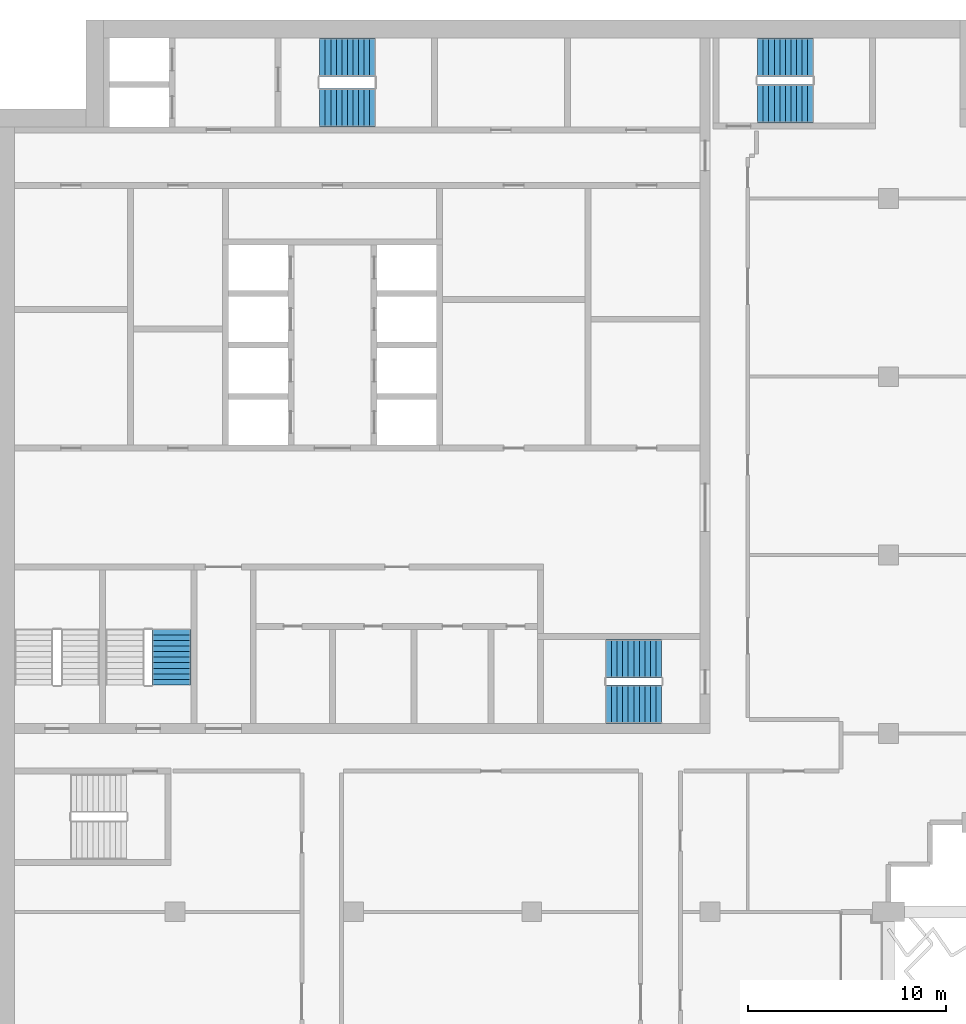
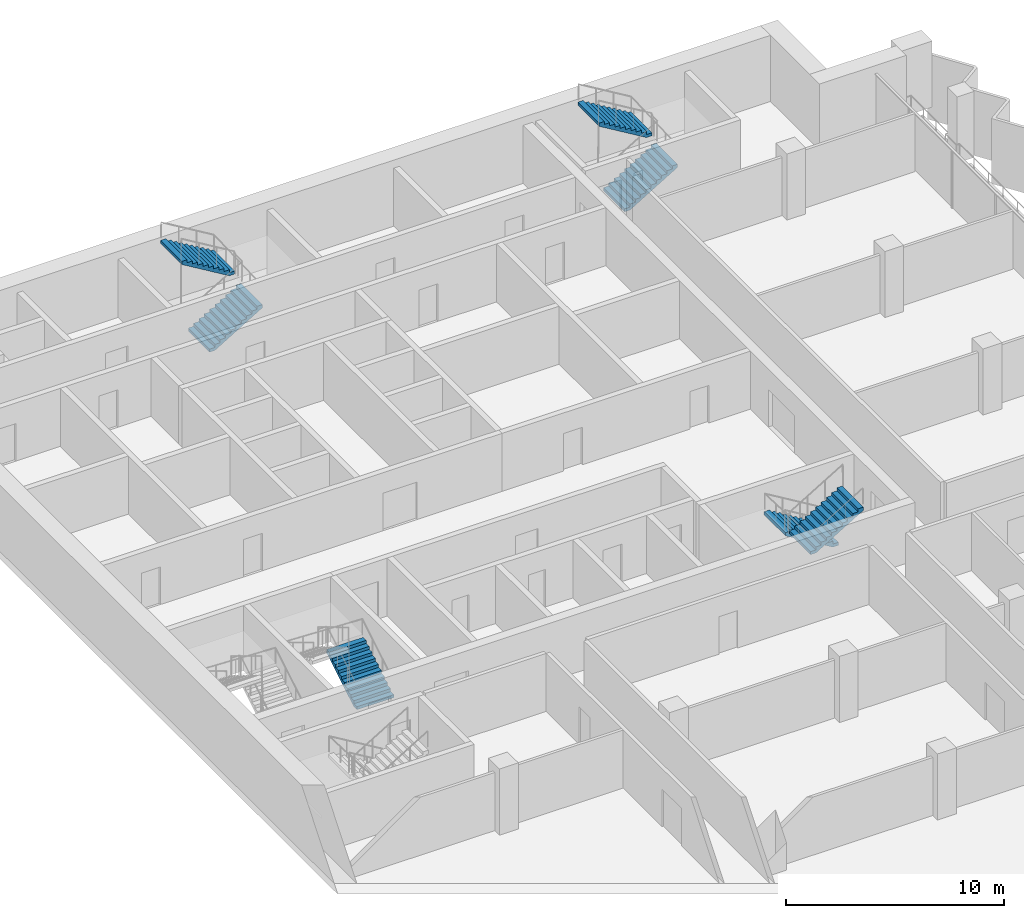
# One storey, part 13 of 17: 7 stair flights, 4 elements without a shape of their own.
"""IFC4 building model written with IfcOpenShell, lengths in metres."""

from ifc_helpers import new_model, si_unit, direction, frame, origin, place, context, subcontext, project, spatial, polyline, outline, extrude, material, type_object, element, aggregate, save


model = new_model("IFC4")

# Units and contexts
model_context = context("Model", 3, precision=1e-05, world=origin(), true_north=direction((0.0, 1.0)))
body_context = subcontext(model_context, "Body", "Model", "MODEL_VIEW")
ifc_project = project(units=[si_unit("LENGTHUNIT", "METRE"), si_unit("AREAUNIT", "SQUARE_METRE"), si_unit("VOLUMEUNIT", "CUBIC_METRE"), si_unit("PLANEANGLEUNIT", "RADIAN"), si_unit("MASSUNIT", "GRAM", prefix="KILO")], contexts=[model_context])

# Site, building, storey
site_placement = place(None, origin())
site = spatial("IfcSite", under=ifc_project, at=site_placement, CompositionType="ELEMENT")
building_placement = place(site_placement, origin())
building = spatial("IfcBuilding", under=site, at=building_placement, Name="Hunhe Ridgeline Campus", CompositionType="ELEMENT")
storey_placement = place(building_placement, frame((0.0, 0.0, 272.5)))
storey = spatial("IfcBuildingStorey", under=building, at=storey_placement, Name="L70", CompositionType="ELEMENT", Elevation=272.5)

# Stair, stair flights
ifc_material = material(Name="Concrete C40", Category="concrete")
stair_type = type_object("IfcStairType", Name="Reinforced concrete dog-leg stair 1950 Concrete C40", PredefinedType="HALF_TURN_STAIR", material=ifc_material)
stair_1_placement = place(storey_placement, origin())
stair_1 = element("IfcStair", 1, at=stair_1_placement, inside=storey, type_object=stair_type, Name="L70 S1", PredefinedType="HALF_TURN_STAIR")
stair_flight_type = type_object("IfcStairFlightType", Name="Reinforced concrete stair flight 1950 Concrete C40", PredefinedType="STRAIGHT", material=ifc_material)
stair_flight_1_placement = place(storey_placement, frame((16.300048828125, 94.574951171875, 0.0), z_axis=(0.0, 0.0, 1.0), x_axis=(1.0, 0.0, 0.0)))
stair_flight_1 = element("IfcStairFlight", 2, at=stair_flight_1_placement, type_object=stair_flight_type, Name="ST1 flight 1", NumberOfRisers=11, NumberOfTreads=10, PredefinedType="STRAIGHT", RiserHeight=0.168181818, TreadLength=0.28, context=body_context, shape_type="SweptSolid", body=[
    extrude(outline(polyline([(0.0, 0.0), (0.0, 0.168212890625), (0.280029296875, 0.168212890625), (0.280029296875, 0.33642578125), (0.56005859375, 0.33642578125), (0.56005859375, 0.504638671875), (0.840087890625, 0.504638671875), (0.840087890625, 0.672607421875), (1.1201171875, 0.672607421875), (1.1201171875, 0.8408203125), (1.39990234375, 0.8408203125), (1.39990234375, 1.009033203125), (1.679931640625, 1.009033203125), (1.679931640625, 1.17724609375), (1.9599609375, 1.17724609375), (1.9599609375, 1.345458984375), (2.239990234375, 1.345458984375), (2.239990234375, 1.513671875), (2.52001953125, 1.513671875), (2.52001953125, 1.681884765625), (2.800048828125, 1.681884765625), (2.800048828125, 1.85009765625), (2.800048828125, 1.5068359375), (0.291015625, 0.0), (0.0, 0.0)])), frame((0.0, 0.97509765625, 0.0), z_axis=(0.0, -1.0, 0.0), x_axis=(1.0, 0.0, 0.0)), (0.0, 0.0, 1.0), 1.949951171875),
    extrude(outline(polyline([(0.030029296875, 0.030029296875), (0.030029296875, 0.13818359375), (0.31005859375, 0.13818359375), (0.31005859375, 0.306396484375), (0.590087890625, 0.306396484375), (0.590087890625, 0.474609375), (0.8701171875, 0.474609375), (0.8701171875, 0.642578125), (1.14990234375, 0.642578125), (1.14990234375, 0.810791015625), (1.429931640625, 0.810791015625), (1.429931640625, 0.97900390625), (1.7099609375, 0.97900390625), (1.7099609375, 1.147216796875), (1.989990234375, 1.147216796875), (1.989990234375, 1.3154296875), (2.27001953125, 1.3154296875), (2.27001953125, 1.483642578125), (2.550048828125, 1.483642578125), (2.550048828125, 1.65185546875), (2.77001953125, 1.65185546875), (2.77001953125, 1.52392578125), (0.28271484375, 0.030029296875), (0.030029296875, 0.030029296875)])), frame((0.0, -0.070068359375, 0.0), z_axis=(0.0, -1.0, 0.0), x_axis=(1.0, 0.0, 0.0)), (0.0, 0.0, 1.0), 0.019775390625),
    extrude(outline(polyline([(0.030029296875, 0.030029296875), (0.030029296875, 0.13818359375), (0.31005859375, 0.13818359375), (0.31005859375, 0.306396484375), (0.590087890625, 0.306396484375), (0.590087890625, 0.474609375), (0.8701171875, 0.474609375), (0.8701171875, 0.642578125), (1.14990234375, 0.642578125), (1.14990234375, 0.810791015625), (1.429931640625, 0.810791015625), (1.429931640625, 0.97900390625), (1.7099609375, 0.97900390625), (1.7099609375, 1.147216796875), (1.989990234375, 1.147216796875), (1.989990234375, 1.3154296875), (2.27001953125, 1.3154296875), (2.27001953125, 1.483642578125), (2.550048828125, 1.483642578125), (2.550048828125, 1.65185546875), (2.77001953125, 1.65185546875), (2.77001953125, 1.52392578125), (0.28271484375, 0.030029296875), (0.030029296875, 0.030029296875)])), frame((0.0, 0.010009765625, 0.0), z_axis=(0.0, -1.0, 0.0), x_axis=(1.0, 0.0, 0.0)), (0.0, 0.0, 1.0), 0.019775390625),
    extrude(outline(polyline([(0.030029296875, 0.030029296875), (0.030029296875, 0.13818359375), (0.31005859375, 0.13818359375), (0.31005859375, 0.306396484375), (0.590087890625, 0.306396484375), (0.590087890625, 0.474609375), (0.8701171875, 0.474609375), (0.8701171875, 0.642578125), (1.14990234375, 0.642578125), (1.14990234375, 0.810791015625), (1.429931640625, 0.810791015625), (1.429931640625, 0.97900390625), (1.7099609375, 0.97900390625), (1.7099609375, 1.147216796875), (1.989990234375, 1.147216796875), (1.989990234375, 1.3154296875), (2.27001953125, 1.3154296875), (2.27001953125, 1.483642578125), (2.550048828125, 1.483642578125), (2.550048828125, 1.65185546875), (2.77001953125, 1.65185546875), (2.77001953125, 1.52392578125), (0.28271484375, 0.030029296875), (0.030029296875, 0.030029296875)])), frame((0.0, 0.090087890625, 0.0), z_axis=(0.0, -1.0, 0.0), x_axis=(1.0, 0.0, 0.0)), (0.0, 0.0, 1.0), 0.019775390625),
])
stair_flight_2_placement = place(storey_placement, frame((19.10009765625, 97.125, 1.85009765625), z_axis=(0.0, 0.0, 1.0), x_axis=(-1.0, 0.0, 0.0)))
stair_flight_2 = element("IfcStairFlight", 3, at=stair_flight_2_placement, type_object=stair_flight_type, Name="ST1 flight 2", NumberOfRisers=11, NumberOfTreads=10, PredefinedType="STRAIGHT", RiserHeight=0.168181818, TreadLength=0.28, context=body_context, shape_type="SweptSolid", body=[
    extrude(outline(polyline([(0.0, 0.0), (0.0, 0.168212890625), (0.280029296875, 0.168212890625), (0.280029296875, 0.33642578125), (0.56005859375, 0.33642578125), (0.56005859375, 0.504638671875), (0.840087890625, 0.504638671875), (0.840087890625, 0.672607421875), (1.1201171875, 0.672607421875), (1.1201171875, 0.8408203125), (1.39990234375, 0.8408203125), (1.39990234375, 1.009033203125), (1.679931640625, 1.009033203125), (1.679931640625, 1.17724609375), (1.9599609375, 1.17724609375), (1.9599609375, 1.345458984375), (2.239990234375, 1.345458984375), (2.239990234375, 1.513671875), (2.52001953125, 1.513671875), (2.52001953125, 1.681884765625), (2.800048828125, 1.681884765625), (2.800048828125, 1.85009765625), (2.800048828125, 1.5068359375), (0.291015625, 0.0), (0.0, 0.0)])), frame((0.0, 0.97509765625, 0.0), z_axis=(0.0, -1.0, 0.0), x_axis=(1.0, 0.0, 0.0)), (0.0, 0.0, 1.0), 1.949951171875),
    extrude(outline(polyline([(0.030029296875, 0.030029296875), (0.030029296875, 0.13818359375), (0.31005859375, 0.13818359375), (0.31005859375, 0.306396484375), (0.590087890625, 0.306396484375), (0.590087890625, 0.474609375), (0.8701171875, 0.474609375), (0.8701171875, 0.642578125), (1.14990234375, 0.642578125), (1.14990234375, 0.810791015625), (1.429931640625, 0.810791015625), (1.429931640625, 0.97900390625), (1.7099609375, 0.97900390625), (1.7099609375, 1.147216796875), (1.989990234375, 1.147216796875), (1.989990234375, 1.3154296875), (2.27001953125, 1.3154296875), (2.27001953125, 1.483642578125), (2.550048828125, 1.483642578125), (2.550048828125, 1.65185546875), (2.77001953125, 1.65185546875), (2.77001953125, 1.52392578125), (0.28271484375, 0.030029296875), (0.030029296875, 0.030029296875)])), frame((0.0, -0.070068359375, 0.0), z_axis=(0.0, -1.0, 0.0), x_axis=(1.0, 0.0, 0.0)), (0.0, 0.0, 1.0), 0.019775390625),
    extrude(outline(polyline([(0.030029296875, 0.030029296875), (0.030029296875, 0.13818359375), (0.31005859375, 0.13818359375), (0.31005859375, 0.306396484375), (0.590087890625, 0.306396484375), (0.590087890625, 0.474609375), (0.8701171875, 0.474609375), (0.8701171875, 0.642578125), (1.14990234375, 0.642578125), (1.14990234375, 0.810791015625), (1.429931640625, 0.810791015625), (1.429931640625, 0.97900390625), (1.7099609375, 0.97900390625), (1.7099609375, 1.147216796875), (1.989990234375, 1.147216796875), (1.989990234375, 1.3154296875), (2.27001953125, 1.3154296875), (2.27001953125, 1.483642578125), (2.550048828125, 1.483642578125), (2.550048828125, 1.65185546875), (2.77001953125, 1.65185546875), (2.77001953125, 1.52392578125), (0.28271484375, 0.030029296875), (0.030029296875, 0.030029296875)])), frame((0.0, 0.010009765625, 0.0), z_axis=(0.0, -1.0, 0.0), x_axis=(1.0, 0.0, 0.0)), (0.0, 0.0, 1.0), 0.019775390625),
    extrude(outline(polyline([(0.030029296875, 0.030029296875), (0.030029296875, 0.13818359375), (0.31005859375, 0.13818359375), (0.31005859375, 0.306396484375), (0.590087890625, 0.306396484375), (0.590087890625, 0.474609375), (0.8701171875, 0.474609375), (0.8701171875, 0.642578125), (1.14990234375, 0.642578125), (1.14990234375, 0.810791015625), (1.429931640625, 0.810791015625), (1.429931640625, 0.97900390625), (1.7099609375, 0.97900390625), (1.7099609375, 1.147216796875), (1.989990234375, 1.147216796875), (1.989990234375, 1.3154296875), (2.27001953125, 1.3154296875), (2.27001953125, 1.483642578125), (2.550048828125, 1.483642578125), (2.550048828125, 1.65185546875), (2.77001953125, 1.65185546875), (2.77001953125, 1.52392578125), (0.28271484375, 0.030029296875), (0.030029296875, 0.030029296875)])), frame((0.0, 0.090087890625, 0.0), z_axis=(0.0, -1.0, 0.0), x_axis=(1.0, 0.0, 0.0)), (0.0, 0.0, 1.0), 0.019775390625),
])
aggregate(stair_1, [stair_flight_1, stair_flight_2])

stair_2_placement = place(storey_placement, origin())
stair_2 = element("IfcStair", 4, at=stair_2_placement, inside=storey, type_object=stair_type, Name="L70 S2", PredefinedType="HALF_TURN_STAIR")
stair_flight_3_placement = place(storey_placement, frame((33.550048828125, 66.77490234375, 0.0), z_axis=(0.0, 0.0, 1.0), x_axis=(-1.0, 0.0, 0.0)))
stair_flight_3 = element("IfcStairFlight", 5, at=stair_flight_3_placement, type_object=stair_flight_type, Name="ST2 flight 1", NumberOfRisers=11, NumberOfTreads=10, PredefinedType="STRAIGHT", RiserHeight=0.168181818, TreadLength=0.28, context=body_context, shape_type="SweptSolid", body=[
    extrude(outline(polyline([(0.0, 0.0), (0.0, 0.168212890625), (0.280029296875, 0.168212890625), (0.280029296875, 0.33642578125), (0.56005859375, 0.33642578125), (0.56005859375, 0.504638671875), (0.840087890625, 0.504638671875), (0.840087890625, 0.672607421875), (1.1201171875, 0.672607421875), (1.1201171875, 0.8408203125), (1.39990234375, 0.8408203125), (1.39990234375, 1.009033203125), (1.679931640625, 1.009033203125), (1.679931640625, 1.17724609375), (1.9599609375, 1.17724609375), (1.9599609375, 1.345458984375), (2.239990234375, 1.345458984375), (2.239990234375, 1.513671875), (2.52001953125, 1.513671875), (2.52001953125, 1.681884765625), (2.800048828125, 1.681884765625), (2.800048828125, 1.85009765625), (2.800048828125, 1.5068359375), (0.291015625, 0.0), (0.0, 0.0)])), frame((0.0, 0.97509765625, 0.0), z_axis=(0.0, -1.0, 0.0), x_axis=(1.0, 0.0, 0.0)), (0.0, 0.0, 1.0), 1.949951171875),
    extrude(outline(polyline([(0.030029296875, 0.030029296875), (0.030029296875, 0.13818359375), (0.31005859375, 0.13818359375), (0.31005859375, 0.306396484375), (0.590087890625, 0.306396484375), (0.590087890625, 0.474609375), (0.8701171875, 0.474609375), (0.8701171875, 0.642578125), (1.14990234375, 0.642578125), (1.14990234375, 0.810791015625), (1.429931640625, 0.810791015625), (1.429931640625, 0.97900390625), (1.7099609375, 0.97900390625), (1.7099609375, 1.147216796875), (1.989990234375, 1.147216796875), (1.989990234375, 1.3154296875), (2.27001953125, 1.3154296875), (2.27001953125, 1.483642578125), (2.550048828125, 1.483642578125), (2.550048828125, 1.65185546875), (2.77001953125, 1.65185546875), (2.77001953125, 1.52392578125), (0.28271484375, 0.030029296875), (0.030029296875, 0.030029296875)])), frame((0.0, -0.070068359375, 0.0), z_axis=(0.0, -1.0, 0.0), x_axis=(1.0, 0.0, 0.0)), (0.0, 0.0, 1.0), 0.019775390625),
    extrude(outline(polyline([(0.030029296875, 0.030029296875), (0.030029296875, 0.13818359375), (0.31005859375, 0.13818359375), (0.31005859375, 0.306396484375), (0.590087890625, 0.306396484375), (0.590087890625, 0.474609375), (0.8701171875, 0.474609375), (0.8701171875, 0.642578125), (1.14990234375, 0.642578125), (1.14990234375, 0.810791015625), (1.429931640625, 0.810791015625), (1.429931640625, 0.97900390625), (1.7099609375, 0.97900390625), (1.7099609375, 1.147216796875), (1.989990234375, 1.147216796875), (1.989990234375, 1.3154296875), (2.27001953125, 1.3154296875), (2.27001953125, 1.483642578125), (2.550048828125, 1.483642578125), (2.550048828125, 1.65185546875), (2.77001953125, 1.65185546875), (2.77001953125, 1.52392578125), (0.28271484375, 0.030029296875), (0.030029296875, 0.030029296875)])), frame((0.0, 0.010009765625, 0.0), z_axis=(0.0, -1.0, 0.0), x_axis=(1.0, 0.0, 0.0)), (0.0, 0.0, 1.0), 0.019775390625),
    extrude(outline(polyline([(0.030029296875, 0.030029296875), (0.030029296875, 0.13818359375), (0.31005859375, 0.13818359375), (0.31005859375, 0.306396484375), (0.590087890625, 0.306396484375), (0.590087890625, 0.474609375), (0.8701171875, 0.474609375), (0.8701171875, 0.642578125), (1.14990234375, 0.642578125), (1.14990234375, 0.810791015625), (1.429931640625, 0.810791015625), (1.429931640625, 0.97900390625), (1.7099609375, 0.97900390625), (1.7099609375, 1.147216796875), (1.989990234375, 1.147216796875), (1.989990234375, 1.3154296875), (2.27001953125, 1.3154296875), (2.27001953125, 1.483642578125), (2.550048828125, 1.483642578125), (2.550048828125, 1.65185546875), (2.77001953125, 1.65185546875), (2.77001953125, 1.52392578125), (0.28271484375, 0.030029296875), (0.030029296875, 0.030029296875)])), frame((0.0, 0.090087890625, 0.0), z_axis=(0.0, -1.0, 0.0), x_axis=(1.0, 0.0, 0.0)), (0.0, 0.0, 1.0), 0.019775390625),
])
stair_flight_4_placement = place(storey_placement, frame((30.75, 64.47509765625, 1.85009765625), z_axis=(0.0, 0.0, 1.0), x_axis=(1.0, 0.0, 0.0)))
stair_flight_4 = element("IfcStairFlight", 6, at=stair_flight_4_placement, type_object=stair_flight_type, Name="ST2 flight 2", NumberOfRisers=11, NumberOfTreads=10, PredefinedType="STRAIGHT", RiserHeight=0.168181818, TreadLength=0.28, context=body_context, shape_type="SweptSolid", body=[
    extrude(outline(polyline([(0.0, 0.0), (0.0, 0.168212890625), (0.280029296875, 0.168212890625), (0.280029296875, 0.33642578125), (0.56005859375, 0.33642578125), (0.56005859375, 0.504638671875), (0.840087890625, 0.504638671875), (0.840087890625, 0.672607421875), (1.1201171875, 0.672607421875), (1.1201171875, 0.8408203125), (1.39990234375, 0.8408203125), (1.39990234375, 1.009033203125), (1.679931640625, 1.009033203125), (1.679931640625, 1.17724609375), (1.9599609375, 1.17724609375), (1.9599609375, 1.345458984375), (2.239990234375, 1.345458984375), (2.239990234375, 1.513671875), (2.52001953125, 1.513671875), (2.52001953125, 1.681884765625), (2.800048828125, 1.681884765625), (2.800048828125, 1.85009765625), (2.800048828125, 1.5068359375), (0.291015625, 0.0), (0.0, 0.0)])), frame((0.0, 0.97509765625, 0.0), z_axis=(0.0, -1.0, 0.0), x_axis=(1.0, 0.0, 0.0)), (0.0, 0.0, 1.0), 1.949951171875),
    extrude(outline(polyline([(0.030029296875, 0.030029296875), (0.030029296875, 0.13818359375), (0.31005859375, 0.13818359375), (0.31005859375, 0.306396484375), (0.590087890625, 0.306396484375), (0.590087890625, 0.474609375), (0.8701171875, 0.474609375), (0.8701171875, 0.642578125), (1.14990234375, 0.642578125), (1.14990234375, 0.810791015625), (1.429931640625, 0.810791015625), (1.429931640625, 0.97900390625), (1.7099609375, 0.97900390625), (1.7099609375, 1.147216796875), (1.989990234375, 1.147216796875), (1.989990234375, 1.3154296875), (2.27001953125, 1.3154296875), (2.27001953125, 1.483642578125), (2.550048828125, 1.483642578125), (2.550048828125, 1.65185546875), (2.77001953125, 1.65185546875), (2.77001953125, 1.52392578125), (0.28271484375, 0.030029296875), (0.030029296875, 0.030029296875)])), frame((0.0, -0.070068359375, 0.0), z_axis=(0.0, -1.0, 0.0), x_axis=(1.0, 0.0, 0.0)), (0.0, 0.0, 1.0), 0.019775390625),
    extrude(outline(polyline([(0.030029296875, 0.030029296875), (0.030029296875, 0.13818359375), (0.31005859375, 0.13818359375), (0.31005859375, 0.306396484375), (0.590087890625, 0.306396484375), (0.590087890625, 0.474609375), (0.8701171875, 0.474609375), (0.8701171875, 0.642578125), (1.14990234375, 0.642578125), (1.14990234375, 0.810791015625), (1.429931640625, 0.810791015625), (1.429931640625, 0.97900390625), (1.7099609375, 0.97900390625), (1.7099609375, 1.147216796875), (1.989990234375, 1.147216796875), (1.989990234375, 1.3154296875), (2.27001953125, 1.3154296875), (2.27001953125, 1.483642578125), (2.550048828125, 1.483642578125), (2.550048828125, 1.65185546875), (2.77001953125, 1.65185546875), (2.77001953125, 1.52392578125), (0.28271484375, 0.030029296875), (0.030029296875, 0.030029296875)])), frame((0.0, 0.010009765625, 0.0), z_axis=(0.0, -1.0, 0.0), x_axis=(1.0, 0.0, 0.0)), (0.0, 0.0, 1.0), 0.019775390625),
    extrude(outline(polyline([(0.030029296875, 0.030029296875), (0.030029296875, 0.13818359375), (0.31005859375, 0.13818359375), (0.31005859375, 0.306396484375), (0.590087890625, 0.306396484375), (0.590087890625, 0.474609375), (0.8701171875, 0.474609375), (0.8701171875, 0.642578125), (1.14990234375, 0.642578125), (1.14990234375, 0.810791015625), (1.429931640625, 0.810791015625), (1.429931640625, 0.97900390625), (1.7099609375, 0.97900390625), (1.7099609375, 1.147216796875), (1.989990234375, 1.147216796875), (1.989990234375, 1.3154296875), (2.27001953125, 1.3154296875), (2.27001953125, 1.483642578125), (2.550048828125, 1.483642578125), (2.550048828125, 1.65185546875), (2.77001953125, 1.65185546875), (2.77001953125, 1.52392578125), (0.28271484375, 0.030029296875), (0.030029296875, 0.030029296875)])), frame((0.0, 0.090087890625, 0.0), z_axis=(0.0, -1.0, 0.0), x_axis=(1.0, 0.0, 0.0)), (0.0, 0.0, 1.0), 0.019775390625),
])
aggregate(stair_2, [stair_flight_3, stair_flight_4])

# Stair, stair flight
stair_3_placement = place(storey_placement, origin())
stair_3 = element("IfcStair", 7, at=stair_3_placement, inside=storey, type_object=stair_type, Name="L70 S4", PredefinedType="HALF_TURN_STAIR")
stair_flight_5_placement = place(storey_placement, frame((8.824951171875, 65.449951171875, 0.0), z_axis=(0.0, 0.0, 1.0), x_axis=(0.0, 1.0, 0.0)))
stair_flight_5 = element("IfcStairFlight", 8, at=stair_flight_5_placement, type_object=stair_flight_type, Name="ST4 flight 1", NumberOfRisers=11, NumberOfTreads=10, PredefinedType="STRAIGHT", RiserHeight=0.168181818, TreadLength=0.28, context=body_context, shape_type="SweptSolid", body=[
    extrude(outline(polyline([(0.0, 0.0), (0.0, 0.168212890625), (0.280029296875, 0.168212890625), (0.280029296875, 0.33642578125), (0.56005859375, 0.33642578125), (0.56005859375, 0.504638671875), (0.840087890625, 0.504638671875), (0.840087890625, 0.672607421875), (1.1201171875, 0.672607421875), (1.1201171875, 0.8408203125), (1.39990234375, 0.8408203125), (1.39990234375, 1.009033203125), (1.679931640625, 1.009033203125), (1.679931640625, 1.17724609375), (1.9599609375, 1.17724609375), (1.9599609375, 1.345458984375), (2.239990234375, 1.345458984375), (2.239990234375, 1.513671875), (2.52001953125, 1.513671875), (2.52001953125, 1.681884765625), (2.800048828125, 1.681884765625), (2.800048828125, 1.85009765625), (2.800048828125, 1.5068359375), (0.291015625, 0.0), (0.0, 0.0)])), frame((0.0, 0.97509765625, 0.0), z_axis=(0.0, -1.0, 0.0), x_axis=(1.0, 0.0, 0.0)), (0.0, 0.0, 1.0), 1.949951171875),
    extrude(outline(polyline([(0.030029296875, 0.030029296875), (0.030029296875, 0.13818359375), (0.31005859375, 0.13818359375), (0.31005859375, 0.306396484375), (0.590087890625, 0.306396484375), (0.590087890625, 0.474609375), (0.8701171875, 0.474609375), (0.8701171875, 0.642578125), (1.14990234375, 0.642578125), (1.14990234375, 0.810791015625), (1.429931640625, 0.810791015625), (1.429931640625, 0.97900390625), (1.7099609375, 0.97900390625), (1.7099609375, 1.147216796875), (1.989990234375, 1.147216796875), (1.989990234375, 1.3154296875), (2.27001953125, 1.3154296875), (2.27001953125, 1.483642578125), (2.550048828125, 1.483642578125), (2.550048828125, 1.65185546875), (2.77001953125, 1.65185546875), (2.77001953125, 1.52392578125), (0.28271484375, 0.030029296875), (0.030029296875, 0.030029296875)])), frame((0.0, -0.070068359375, 0.0), z_axis=(0.0, -1.0, 0.0), x_axis=(1.0, 0.0, 0.0)), (0.0, 0.0, 1.0), 0.019775390625),
    extrude(outline(polyline([(0.030029296875, 0.030029296875), (0.030029296875, 0.13818359375), (0.31005859375, 0.13818359375), (0.31005859375, 0.306396484375), (0.590087890625, 0.306396484375), (0.590087890625, 0.474609375), (0.8701171875, 0.474609375), (0.8701171875, 0.642578125), (1.14990234375, 0.642578125), (1.14990234375, 0.810791015625), (1.429931640625, 0.810791015625), (1.429931640625, 0.97900390625), (1.7099609375, 0.97900390625), (1.7099609375, 1.147216796875), (1.989990234375, 1.147216796875), (1.989990234375, 1.3154296875), (2.27001953125, 1.3154296875), (2.27001953125, 1.483642578125), (2.550048828125, 1.483642578125), (2.550048828125, 1.65185546875), (2.77001953125, 1.65185546875), (2.77001953125, 1.52392578125), (0.28271484375, 0.030029296875), (0.030029296875, 0.030029296875)])), frame((0.0, 0.010009765625, 0.0), z_axis=(0.0, -1.0, 0.0), x_axis=(1.0, 0.0, 0.0)), (0.0, 0.0, 1.0), 0.019775390625),
    extrude(outline(polyline([(0.030029296875, 0.030029296875), (0.030029296875, 0.13818359375), (0.31005859375, 0.13818359375), (0.31005859375, 0.306396484375), (0.590087890625, 0.306396484375), (0.590087890625, 0.474609375), (0.8701171875, 0.474609375), (0.8701171875, 0.642578125), (1.14990234375, 0.642578125), (1.14990234375, 0.810791015625), (1.429931640625, 0.810791015625), (1.429931640625, 0.97900390625), (1.7099609375, 0.97900390625), (1.7099609375, 1.147216796875), (1.989990234375, 1.147216796875), (1.989990234375, 1.3154296875), (2.27001953125, 1.3154296875), (2.27001953125, 1.483642578125), (2.550048828125, 1.483642578125), (2.550048828125, 1.65185546875), (2.77001953125, 1.65185546875), (2.77001953125, 1.52392578125), (0.28271484375, 0.030029296875), (0.030029296875, 0.030029296875)])), frame((0.0, 0.090087890625, 0.0), z_axis=(0.0, -1.0, 0.0), x_axis=(1.0, 0.0, 0.0)), (0.0, 0.0, 1.0), 0.019775390625),
])
aggregate(stair_3, [stair_flight_5])

# Stair, stair flights
stair_4_placement = place(storey_placement, origin())
stair_4 = element("IfcStair", 9, at=stair_4_placement, inside=storey, type_object=stair_type, Name="L70 E1", PredefinedType="HALF_TURN_STAIR")
stair_flight_6_placement = place(storey_placement, frame((38.39990234375, 94.77490234375, 0.0), z_axis=(0.0, 0.0, 1.0), x_axis=(1.0, 0.0, 0.0)))
stair_flight_6 = element("IfcStairFlight", 10, at=stair_flight_6_placement, type_object=stair_flight_type, Name="ST5 flight 1", NumberOfRisers=11, NumberOfTreads=10, PredefinedType="STRAIGHT", RiserHeight=0.168181818, TreadLength=0.28, context=body_context, shape_type="SweptSolid", body=[
    extrude(outline(polyline([(0.0, 0.0), (0.0, 0.168212890625), (0.280029296875, 0.168212890625), (0.280029296875, 0.33642578125), (0.56005859375, 0.33642578125), (0.56005859375, 0.504638671875), (0.840087890625, 0.504638671875), (0.840087890625, 0.672607421875), (1.1201171875, 0.672607421875), (1.1201171875, 0.8408203125), (1.39990234375, 0.8408203125), (1.39990234375, 1.009033203125), (1.679931640625, 1.009033203125), (1.679931640625, 1.17724609375), (1.9599609375, 1.17724609375), (1.9599609375, 1.345458984375), (2.239990234375, 1.345458984375), (2.239990234375, 1.513671875), (2.52001953125, 1.513671875), (2.52001953125, 1.681884765625), (2.800048828125, 1.681884765625), (2.800048828125, 1.85009765625), (2.800048828125, 1.5068359375), (0.291015625, 0.0), (0.0, 0.0)])), frame((0.0, 0.97509765625, 0.0), z_axis=(0.0, -1.0, 0.0), x_axis=(1.0, 0.0, 0.0)), (0.0, 0.0, 1.0), 1.949951171875),
    extrude(outline(polyline([(0.030029296875, 0.030029296875), (0.030029296875, 0.13818359375), (0.31005859375, 0.13818359375), (0.31005859375, 0.306396484375), (0.590087890625, 0.306396484375), (0.590087890625, 0.474609375), (0.8701171875, 0.474609375), (0.8701171875, 0.642578125), (1.14990234375, 0.642578125), (1.14990234375, 0.810791015625), (1.429931640625, 0.810791015625), (1.429931640625, 0.97900390625), (1.7099609375, 0.97900390625), (1.7099609375, 1.147216796875), (1.989990234375, 1.147216796875), (1.989990234375, 1.3154296875), (2.27001953125, 1.3154296875), (2.27001953125, 1.483642578125), (2.550048828125, 1.483642578125), (2.550048828125, 1.65185546875), (2.77001953125, 1.65185546875), (2.77001953125, 1.52392578125), (0.28271484375, 0.030029296875), (0.030029296875, 0.030029296875)])), frame((0.0, -0.070068359375, 0.0), z_axis=(0.0, -1.0, 0.0), x_axis=(1.0, 0.0, 0.0)), (0.0, 0.0, 1.0), 0.019775390625),
    extrude(outline(polyline([(0.030029296875, 0.030029296875), (0.030029296875, 0.13818359375), (0.31005859375, 0.13818359375), (0.31005859375, 0.306396484375), (0.590087890625, 0.306396484375), (0.590087890625, 0.474609375), (0.8701171875, 0.474609375), (0.8701171875, 0.642578125), (1.14990234375, 0.642578125), (1.14990234375, 0.810791015625), (1.429931640625, 0.810791015625), (1.429931640625, 0.97900390625), (1.7099609375, 0.97900390625), (1.7099609375, 1.147216796875), (1.989990234375, 1.147216796875), (1.989990234375, 1.3154296875), (2.27001953125, 1.3154296875), (2.27001953125, 1.483642578125), (2.550048828125, 1.483642578125), (2.550048828125, 1.65185546875), (2.77001953125, 1.65185546875), (2.77001953125, 1.52392578125), (0.28271484375, 0.030029296875), (0.030029296875, 0.030029296875)])), frame((0.0, 0.010009765625, 0.0), z_axis=(0.0, -1.0, 0.0), x_axis=(1.0, 0.0, 0.0)), (0.0, 0.0, 1.0), 0.019775390625),
    extrude(outline(polyline([(0.030029296875, 0.030029296875), (0.030029296875, 0.13818359375), (0.31005859375, 0.13818359375), (0.31005859375, 0.306396484375), (0.590087890625, 0.306396484375), (0.590087890625, 0.474609375), (0.8701171875, 0.474609375), (0.8701171875, 0.642578125), (1.14990234375, 0.642578125), (1.14990234375, 0.810791015625), (1.429931640625, 0.810791015625), (1.429931640625, 0.97900390625), (1.7099609375, 0.97900390625), (1.7099609375, 1.147216796875), (1.989990234375, 1.147216796875), (1.989990234375, 1.3154296875), (2.27001953125, 1.3154296875), (2.27001953125, 1.483642578125), (2.550048828125, 1.483642578125), (2.550048828125, 1.65185546875), (2.77001953125, 1.65185546875), (2.77001953125, 1.52392578125), (0.28271484375, 0.030029296875), (0.030029296875, 0.030029296875)])), frame((0.0, 0.090087890625, 0.0), z_axis=(0.0, -1.0, 0.0), x_axis=(1.0, 0.0, 0.0)), (0.0, 0.0, 1.0), 0.019775390625),
])
stair_flight_7_placement = place(storey_placement, frame((41.199951171875, 97.125, 1.85009765625), z_axis=(0.0, 0.0, 1.0), x_axis=(-1.0, 0.0, 0.0)))
stair_flight_7 = element("IfcStairFlight", 11, at=stair_flight_7_placement, type_object=stair_flight_type, Name="ST5 flight 2", NumberOfRisers=11, NumberOfTreads=10, PredefinedType="STRAIGHT", RiserHeight=0.168181818, TreadLength=0.28, context=body_context, shape_type="SweptSolid", body=[
    extrude(outline(polyline([(0.0, 0.0), (0.0, 0.168212890625), (0.280029296875, 0.168212890625), (0.280029296875, 0.33642578125), (0.56005859375, 0.33642578125), (0.56005859375, 0.504638671875), (0.840087890625, 0.504638671875), (0.840087890625, 0.672607421875), (1.1201171875, 0.672607421875), (1.1201171875, 0.8408203125), (1.39990234375, 0.8408203125), (1.39990234375, 1.009033203125), (1.679931640625, 1.009033203125), (1.679931640625, 1.17724609375), (1.9599609375, 1.17724609375), (1.9599609375, 1.345458984375), (2.239990234375, 1.345458984375), (2.239990234375, 1.513671875), (2.52001953125, 1.513671875), (2.52001953125, 1.681884765625), (2.800048828125, 1.681884765625), (2.800048828125, 1.85009765625), (2.800048828125, 1.5068359375), (0.291015625, 0.0), (0.0, 0.0)])), frame((0.0, 0.97509765625, 0.0), z_axis=(0.0, -1.0, 0.0), x_axis=(1.0, 0.0, 0.0)), (0.0, 0.0, 1.0), 1.949951171875),
    extrude(outline(polyline([(0.030029296875, 0.030029296875), (0.030029296875, 0.13818359375), (0.31005859375, 0.13818359375), (0.31005859375, 0.306396484375), (0.590087890625, 0.306396484375), (0.590087890625, 0.474609375), (0.8701171875, 0.474609375), (0.8701171875, 0.642578125), (1.14990234375, 0.642578125), (1.14990234375, 0.810791015625), (1.429931640625, 0.810791015625), (1.429931640625, 0.97900390625), (1.7099609375, 0.97900390625), (1.7099609375, 1.147216796875), (1.989990234375, 1.147216796875), (1.989990234375, 1.3154296875), (2.27001953125, 1.3154296875), (2.27001953125, 1.483642578125), (2.550048828125, 1.483642578125), (2.550048828125, 1.65185546875), (2.77001953125, 1.65185546875), (2.77001953125, 1.52392578125), (0.28271484375, 0.030029296875), (0.030029296875, 0.030029296875)])), frame((0.0, -0.070068359375, 0.0), z_axis=(0.0, -1.0, 0.0), x_axis=(1.0, 0.0, 0.0)), (0.0, 0.0, 1.0), 0.019775390625),
    extrude(outline(polyline([(0.030029296875, 0.030029296875), (0.030029296875, 0.13818359375), (0.31005859375, 0.13818359375), (0.31005859375, 0.306396484375), (0.590087890625, 0.306396484375), (0.590087890625, 0.474609375), (0.8701171875, 0.474609375), (0.8701171875, 0.642578125), (1.14990234375, 0.642578125), (1.14990234375, 0.810791015625), (1.429931640625, 0.810791015625), (1.429931640625, 0.97900390625), (1.7099609375, 0.97900390625), (1.7099609375, 1.147216796875), (1.989990234375, 1.147216796875), (1.989990234375, 1.3154296875), (2.27001953125, 1.3154296875), (2.27001953125, 1.483642578125), (2.550048828125, 1.483642578125), (2.550048828125, 1.65185546875), (2.77001953125, 1.65185546875), (2.77001953125, 1.52392578125), (0.28271484375, 0.030029296875), (0.030029296875, 0.030029296875)])), frame((0.0, 0.010009765625, 0.0), z_axis=(0.0, -1.0, 0.0), x_axis=(1.0, 0.0, 0.0)), (0.0, 0.0, 1.0), 0.019775390625),
    extrude(outline(polyline([(0.030029296875, 0.030029296875), (0.030029296875, 0.13818359375), (0.31005859375, 0.13818359375), (0.31005859375, 0.306396484375), (0.590087890625, 0.306396484375), (0.590087890625, 0.474609375), (0.8701171875, 0.474609375), (0.8701171875, 0.642578125), (1.14990234375, 0.642578125), (1.14990234375, 0.810791015625), (1.429931640625, 0.810791015625), (1.429931640625, 0.97900390625), (1.7099609375, 0.97900390625), (1.7099609375, 1.147216796875), (1.989990234375, 1.147216796875), (1.989990234375, 1.3154296875), (2.27001953125, 1.3154296875), (2.27001953125, 1.483642578125), (2.550048828125, 1.483642578125), (2.550048828125, 1.65185546875), (2.77001953125, 1.65185546875), (2.77001953125, 1.52392578125), (0.28271484375, 0.030029296875), (0.030029296875, 0.030029296875)])), frame((0.0, 0.090087890625, 0.0), z_axis=(0.0, -1.0, 0.0), x_axis=(1.0, 0.0, 0.0)), (0.0, 0.0, 1.0), 0.019775390625),
])
aggregate(stair_4, [stair_flight_6, stair_flight_7])

save(model, "model.ifc")
